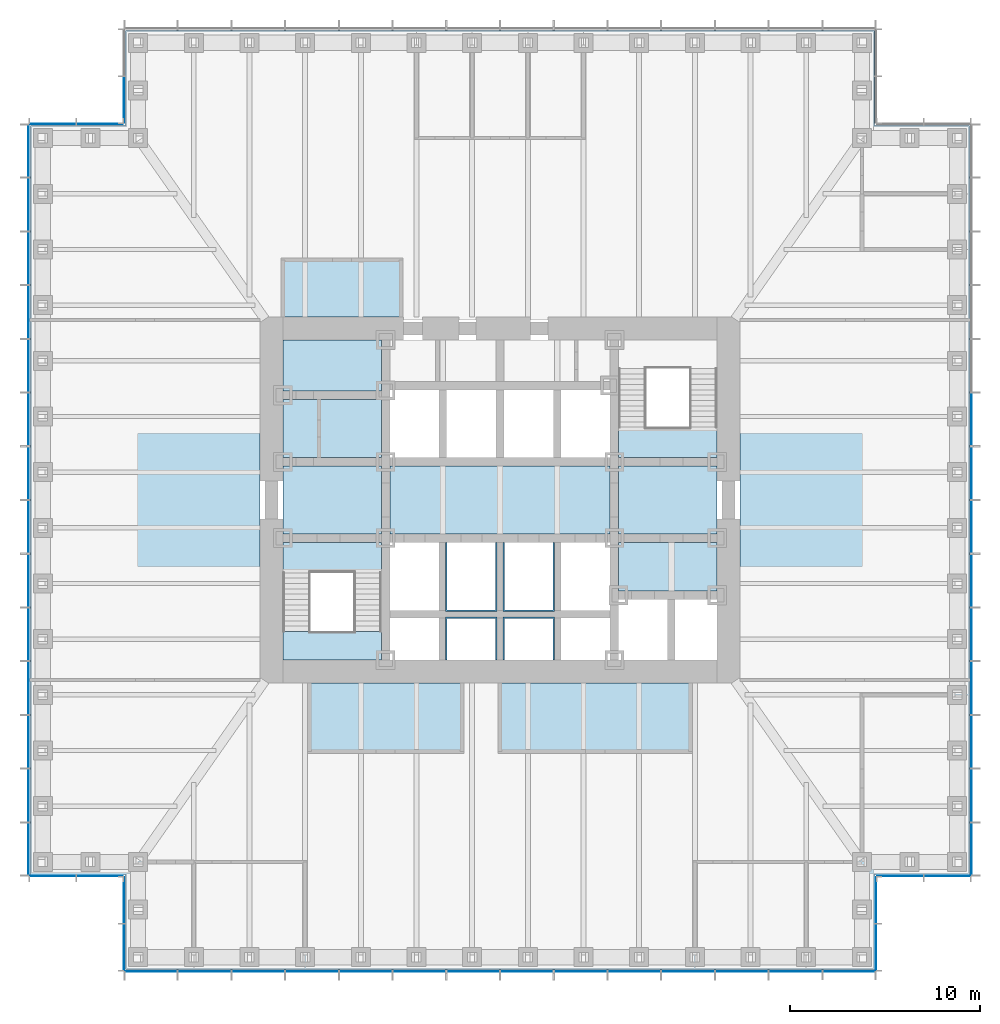
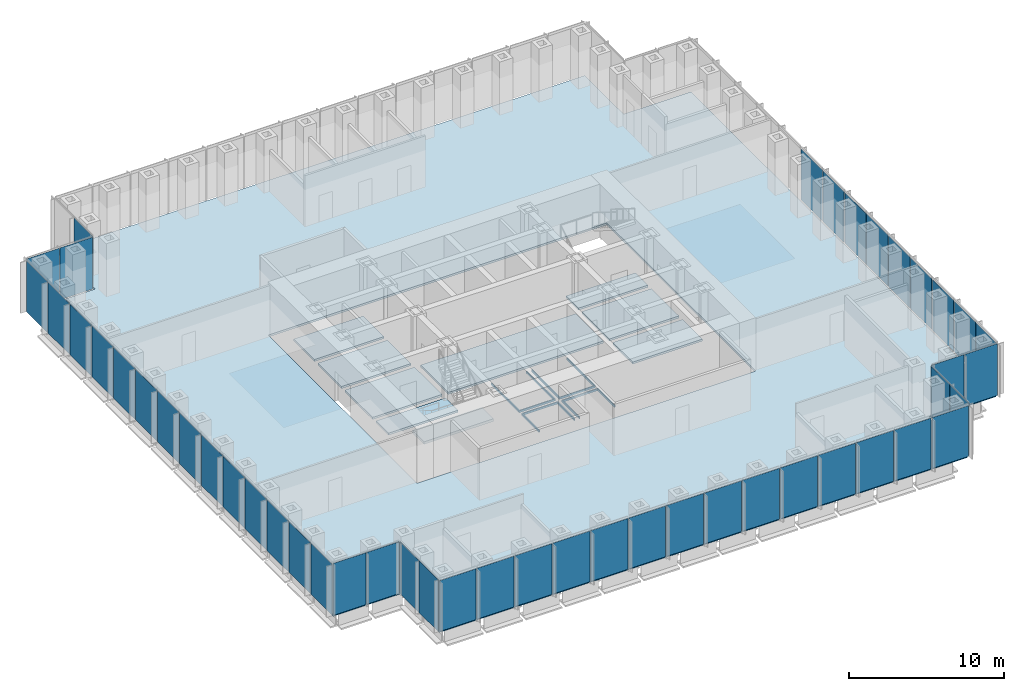
# One storey, part 7 of 16: 48 plates, 14 slabs, 10 elements without a shape of their own.
"""IFC4 building model written with IfcOpenShell, lengths in metres."""

from ifc_helpers import new_model, si_unit, direction, frame, origin, origin_2d, place, context, subcontext, project, spatial, polyline, rectangle, outline, extrude, material, layer, layer_set, type_object, element, aggregate, save


model = new_model("IFC4")

# Units and contexts
model_context = context("Model", 3, precision=1e-05, world=origin(), true_north=direction((0.0, 1.0)))
body_context = subcontext(model_context, "Body", "Model", "MODEL_VIEW")
ifc_project = project(units=[si_unit("LENGTHUNIT", "METRE"), si_unit("AREAUNIT", "SQUARE_METRE"), si_unit("VOLUMEUNIT", "CUBIC_METRE"), si_unit("PLANEANGLEUNIT", "RADIAN"), si_unit("MASSUNIT", "GRAM", prefix="KILO")], contexts=[model_context])

# Site, building, storey
site_placement = place(None, origin())
site = spatial("IfcSite", under=ifc_project, at=site_placement, CompositionType="ELEMENT")
building_placement = place(site_placement, origin())
building = spatial("IfcBuilding", under=site, at=building_placement, Name="Daluyong Arena Tower", CompositionType="ELEMENT")
storey_placement = place(building_placement, frame((0.0, 0.0, 47.5)))
storey = spatial("IfcBuildingStorey", under=building, at=storey_placement, Name="L09", CompositionType="ELEMENT", Elevation=47.5)

# Curtain wall, plates
ifc_material_1 = material(Name="Bronze anodised aluminium and glass", Category="aluminium")
curtain_wall_type_1 = type_object("IfcCurtainWallType", Name="Curtain wall CW1", PredefinedType="USERDEFINED", material=ifc_material_1)
curtain_wall_1_placement = place(storey_placement, origin())
curtain_wall_1 = element("IfcCurtainWall", 1, at=curtain_wall_1_placement, inside=storey, type_object=curtain_wall_type_1, Name="curtain wall L09 S", ObjectType="UNITISED CURTAIN WALL", PredefinedType="USERDEFINED")
ifc_material_2 = material(Name="Tinted double glazed unit", Category="glass")
ifc_layer_1 = layer(ifc_material_2, 0.031982421875)
ifc_layer_set_1 = layer_set([ifc_layer_1], Name="Tinted double glazed unit")
plate_type_1 = type_object("IfcPlateType", Name="CW1 panel 32", PredefinedType="CURTAIN_PANEL", material=ifc_layer_set_1)
plate_1_placement = place(storey_placement, frame((37.6806640625, 55.25, 0.0), z_axis=(0.0, 0.0, 1.0), x_axis=(1.0, 0.0, 0.0)))
plate_1 = element("IfcPlate", 2, at=plate_1_placement, type_object=plate_type_1, Name="curtain wall L09 S panel 1", PredefinedType="CURTAIN_PANEL", context=body_context, shape_type="SweptSolid", body=[
    extrude(rectangle(XDim=2.701416015625, YDim=0.031982421875, at=origin_2d()), origin(), (0.0, 0.0, 1.0), 4.0),
])
plate_2_placement = place(storey_placement, frame((40.482177734375, 55.25, 0.0), z_axis=(0.0, 0.0, 1.0), x_axis=(1.0, 0.0, 0.0)))
plate_2 = element("IfcPlate", 3, at=plate_2_placement, type_object=plate_type_1, Name="curtain wall L09 S panel 2", PredefinedType="CURTAIN_PANEL", context=body_context, shape_type="SweptSolid", body=[
    extrude(rectangle(XDim=2.741455078125, YDim=0.031982421875, at=origin_2d()), origin(), (0.0, 0.0, 1.0), 4.0),
])
plate_3_placement = place(storey_placement, frame((43.303466796875, 55.25, 0.0), z_axis=(0.0, 0.0, 1.0), x_axis=(1.0, 0.0, 0.0)))
plate_3 = element("IfcPlate", 4, at=plate_3_placement, type_object=plate_type_1, Name="curtain wall L09 S panel 3", PredefinedType="CURTAIN_PANEL", context=body_context, shape_type="SweptSolid", body=[
    extrude(rectangle(XDim=2.741455078125, YDim=0.031982421875, at=origin_2d()), origin(), (0.0, 0.0, 1.0), 4.0),
])
plate_4_placement = place(storey_placement, frame((46.125, 55.25, 0.0), z_axis=(0.0, 0.0, 1.0), x_axis=(1.0, 0.0, 0.0)))
plate_4 = element("IfcPlate", 5, at=plate_4_placement, type_object=plate_type_1, Name="curtain wall L09 S panel 4", PredefinedType="CURTAIN_PANEL", context=body_context, shape_type="SweptSolid", body=[
    extrude(rectangle(XDim=2.741455078125, YDim=0.031982421875, at=origin_2d()), origin(), (0.0, 0.0, 1.0), 4.0),
])
plate_5_placement = place(storey_placement, frame((48.946533203125, 55.25, 0.0), z_axis=(0.0, 0.0, 1.0), x_axis=(1.0, 0.0, 0.0)))
plate_5 = element("IfcPlate", 6, at=plate_5_placement, type_object=plate_type_1, Name="curtain wall L09 S panel 5", PredefinedType="CURTAIN_PANEL", context=body_context, shape_type="SweptSolid", body=[
    extrude(rectangle(XDim=2.741455078125, YDim=0.031982421875, at=origin_2d()), origin(), (0.0, 0.0, 1.0), 4.0),
])
plate_6_placement = place(storey_placement, frame((51.767822265625, 55.25, 0.0), z_axis=(0.0, 0.0, 1.0), x_axis=(1.0, 0.0, 0.0)))
plate_6 = element("IfcPlate", 7, at=plate_6_placement, type_object=plate_type_1, Name="curtain wall L09 S panel 6", PredefinedType="CURTAIN_PANEL", context=body_context, shape_type="SweptSolid", body=[
    extrude(rectangle(XDim=2.741455078125, YDim=0.031982421875, at=origin_2d()), origin(), (0.0, 0.0, 1.0), 4.0),
])
plate_7_placement = place(storey_placement, frame((54.58935546875, 55.25, 0.0), z_axis=(0.0, 0.0, 1.0), x_axis=(1.0, 0.0, 0.0)))
plate_7 = element("IfcPlate", 8, at=plate_7_placement, type_object=plate_type_1, Name="curtain wall L09 S panel 7", PredefinedType="CURTAIN_PANEL", context=body_context, shape_type="SweptSolid", body=[
    extrude(rectangle(XDim=2.741455078125, YDim=0.031982421875, at=origin_2d()), origin(), (0.0, 0.0, 1.0), 4.0),
])
plate_8_placement = place(storey_placement, frame((57.41064453125, 55.25, 0.0), z_axis=(0.0, 0.0, 1.0), x_axis=(1.0, 0.0, 0.0)))
plate_8 = element("IfcPlate", 9, at=plate_8_placement, type_object=plate_type_1, Name="curtain wall L09 S panel 8", PredefinedType="CURTAIN_PANEL", context=body_context, shape_type="SweptSolid", body=[
    extrude(rectangle(XDim=2.741455078125, YDim=0.031982421875, at=origin_2d()), origin(), (0.0, 0.0, 1.0), 4.0),
])
plate_9_placement = place(storey_placement, frame((60.232177734375, 55.25, 0.0), z_axis=(0.0, 0.0, 1.0), x_axis=(1.0, 0.0, 0.0)))
plate_9 = element("IfcPlate", 10, at=plate_9_placement, type_object=plate_type_1, Name="curtain wall L09 S panel 9", PredefinedType="CURTAIN_PANEL", context=body_context, shape_type="SweptSolid", body=[
    extrude(rectangle(XDim=2.741455078125, YDim=0.031982421875, at=origin_2d()), origin(), (0.0, 0.0, 1.0), 4.0),
])
plate_10_placement = place(storey_placement, frame((63.053466796875, 55.25, 0.0), z_axis=(0.0, 0.0, 1.0), x_axis=(1.0, 0.0, 0.0)))
plate_10 = element("IfcPlate", 11, at=plate_10_placement, type_object=plate_type_1, Name="curtain wall L09 S panel 10", PredefinedType="CURTAIN_PANEL", context=body_context, shape_type="SweptSolid", body=[
    extrude(rectangle(XDim=2.741455078125, YDim=0.031982421875, at=origin_2d()), origin(), (0.0, 0.0, 1.0), 4.0),
])
plate_11_placement = place(storey_placement, frame((65.875, 55.25, 0.0), z_axis=(0.0, 0.0, 1.0), x_axis=(1.0, 0.0, 0.0)))
plate_11 = element("IfcPlate", 12, at=plate_11_placement, type_object=plate_type_1, Name="curtain wall L09 S panel 11", PredefinedType="CURTAIN_PANEL", context=body_context, shape_type="SweptSolid", body=[
    extrude(rectangle(XDim=2.741455078125, YDim=0.031982421875, at=origin_2d()), origin(), (0.0, 0.0, 1.0), 4.0),
])
plate_12_placement = place(storey_placement, frame((68.696533203125, 55.25, 0.0), z_axis=(0.0, 0.0, 1.0), x_axis=(1.0, 0.0, 0.0)))
plate_12 = element("IfcPlate", 13, at=plate_12_placement, type_object=plate_type_1, Name="curtain wall L09 S panel 12", PredefinedType="CURTAIN_PANEL", context=body_context, shape_type="SweptSolid", body=[
    extrude(rectangle(XDim=2.741455078125, YDim=0.031982421875, at=origin_2d()), origin(), (0.0, 0.0, 1.0), 4.0),
])
plate_13_placement = place(storey_placement, frame((71.517822265625, 55.25, 0.0), z_axis=(0.0, 0.0, 1.0), x_axis=(1.0, 0.0, 0.0)))
plate_13 = element("IfcPlate", 14, at=plate_13_placement, type_object=plate_type_1, Name="curtain wall L09 S panel 13", PredefinedType="CURTAIN_PANEL", context=body_context, shape_type="SweptSolid", body=[
    extrude(rectangle(XDim=2.741455078125, YDim=0.031982421875, at=origin_2d()), origin(), (0.0, 0.0, 1.0), 4.0),
])
plate_14_placement = place(storey_placement, frame((74.3193359375, 55.25, 0.0), z_axis=(0.0, 0.0, 1.0), x_axis=(1.0, 0.0, 0.0)))
plate_14 = element("IfcPlate", 15, at=plate_14_placement, type_object=plate_type_1, Name="curtain wall L09 S panel 14", PredefinedType="CURTAIN_PANEL", context=body_context, shape_type="SweptSolid", body=[
    extrude(rectangle(XDim=2.701416015625, YDim=0.031982421875, at=origin_2d()), origin(), (0.0, 0.0, 1.0), 4.0),
])
aggregate(curtain_wall_1, [plate_1, plate_2, plate_3, plate_4, plate_5, plate_6, plate_7, plate_8, plate_9, plate_10, plate_11, plate_12, plate_13, plate_14])

curtain_wall_2_placement = place(storey_placement, origin())
curtain_wall_2 = element("IfcCurtainWall", 16, at=curtain_wall_2_placement, inside=storey, type_object=curtain_wall_type_1, Name="curtain wall L09 E", ObjectType="UNITISED CURTAIN WALL", PredefinedType="USERDEFINED")
plate_15_placement = place(storey_placement, frame((80.75, 61.6806640625, 0.0), z_axis=(0.0, 0.0, 1.0), x_axis=(0.0, 1.0, 0.0)))
plate_15 = element("IfcPlate", 17, at=plate_15_placement, type_object=plate_type_1, Name="curtain wall L09 E panel 1", PredefinedType="CURTAIN_PANEL", context=body_context, shape_type="SweptSolid", body=[
    extrude(rectangle(XDim=2.701416015625, YDim=0.031982421875, at=origin_2d()), origin(), (0.0, 0.0, 1.0), 4.0),
])
plate_16_placement = place(storey_placement, frame((80.75, 64.482177734375, 0.0), z_axis=(0.0, 0.0, 1.0), x_axis=(0.0, 1.0, 0.0)))
plate_16 = element("IfcPlate", 18, at=plate_16_placement, type_object=plate_type_1, Name="curtain wall L09 E panel 2", PredefinedType="CURTAIN_PANEL", context=body_context, shape_type="SweptSolid", body=[
    extrude(rectangle(XDim=2.741455078125, YDim=0.031982421875, at=origin_2d()), origin(), (0.0, 0.0, 1.0), 4.0),
])
plate_17_placement = place(storey_placement, frame((80.75, 67.303466796875, 0.0), z_axis=(0.0, 0.0, 1.0), x_axis=(0.0, 1.0, 0.0)))
plate_17 = element("IfcPlate", 19, at=plate_17_placement, type_object=plate_type_1, Name="curtain wall L09 E panel 3", PredefinedType="CURTAIN_PANEL", context=body_context, shape_type="SweptSolid", body=[
    extrude(rectangle(XDim=2.741455078125, YDim=0.031982421875, at=origin_2d()), origin(), (0.0, 0.0, 1.0), 4.0),
])
plate_18_placement = place(storey_placement, frame((80.75, 70.125, 0.0), z_axis=(0.0, 0.0, 1.0), x_axis=(0.0, 1.0, 0.0)))
plate_18 = element("IfcPlate", 20, at=plate_18_placement, type_object=plate_type_1, Name="curtain wall L09 E panel 4", PredefinedType="CURTAIN_PANEL", context=body_context, shape_type="SweptSolid", body=[
    extrude(rectangle(XDim=2.741455078125, YDim=0.031982421875, at=origin_2d()), origin(), (0.0, 0.0, 1.0), 4.0),
])
plate_19_placement = place(storey_placement, frame((80.75, 72.946533203125, 0.0), z_axis=(0.0, 0.0, 1.0), x_axis=(0.0, 1.0, 0.0)))
plate_19 = element("IfcPlate", 21, at=plate_19_placement, type_object=plate_type_1, Name="curtain wall L09 E panel 5", PredefinedType="CURTAIN_PANEL", context=body_context, shape_type="SweptSolid", body=[
    extrude(rectangle(XDim=2.741455078125, YDim=0.031982421875, at=origin_2d()), origin(), (0.0, 0.0, 1.0), 4.0),
])
plate_20_placement = place(storey_placement, frame((80.75, 75.767822265625, 0.0), z_axis=(0.0, 0.0, 1.0), x_axis=(0.0, 1.0, 0.0)))
plate_20 = element("IfcPlate", 22, at=plate_20_placement, type_object=plate_type_1, Name="curtain wall L09 E panel 6", PredefinedType="CURTAIN_PANEL", context=body_context, shape_type="SweptSolid", body=[
    extrude(rectangle(XDim=2.741455078125, YDim=0.031982421875, at=origin_2d()), origin(), (0.0, 0.0, 1.0), 4.0),
])
plate_21_placement = place(storey_placement, frame((80.75, 78.58935546875, 0.0), z_axis=(0.0, 0.0, 1.0), x_axis=(0.0, 1.0, 0.0)))
plate_21 = element("IfcPlate", 23, at=plate_21_placement, type_object=plate_type_1, Name="curtain wall L09 E panel 7", PredefinedType="CURTAIN_PANEL", context=body_context, shape_type="SweptSolid", body=[
    extrude(rectangle(XDim=2.741455078125, YDim=0.031982421875, at=origin_2d()), origin(), (0.0, 0.0, 1.0), 4.0),
])
plate_22_placement = place(storey_placement, frame((80.75, 81.41064453125, 0.0), z_axis=(0.0, 0.0, 1.0), x_axis=(0.0, 1.0, 0.0)))
plate_22 = element("IfcPlate", 24, at=plate_22_placement, type_object=plate_type_1, Name="curtain wall L09 E panel 8", PredefinedType="CURTAIN_PANEL", context=body_context, shape_type="SweptSolid", body=[
    extrude(rectangle(XDim=2.741455078125, YDim=0.031982421875, at=origin_2d()), origin(), (0.0, 0.0, 1.0), 4.0),
])
plate_23_placement = place(storey_placement, frame((80.75, 84.232177734375, 0.0), z_axis=(0.0, 0.0, 1.0), x_axis=(0.0, 1.0, 0.0)))
plate_23 = element("IfcPlate", 25, at=plate_23_placement, type_object=plate_type_1, Name="curtain wall L09 E panel 9", PredefinedType="CURTAIN_PANEL", context=body_context, shape_type="SweptSolid", body=[
    extrude(rectangle(XDim=2.741455078125, YDim=0.031982421875, at=origin_2d()), origin(), (0.0, 0.0, 1.0), 4.0),
])
aggregate(curtain_wall_2, [plate_15, plate_16, plate_17, plate_18, plate_19, plate_20, plate_21, plate_22, plate_23])

curtain_wall_3_placement = place(storey_placement, origin())
curtain_wall_3 = element("IfcCurtainWall", 26, at=curtain_wall_3_placement, inside=storey, type_object=curtain_wall_type_1, Name="curtain wall L09 W", ObjectType="UNITISED CURTAIN WALL", PredefinedType="USERDEFINED")
plate_24_placement = place(storey_placement, frame((31.25, 98.3193359375, 0.0), z_axis=(0.0, 0.0, 1.0), x_axis=(0.0, -1.0, 0.0)))
plate_24 = element("IfcPlate", 27, at=plate_24_placement, type_object=plate_type_1, Name="curtain wall L09 W panel 1", PredefinedType="CURTAIN_PANEL", context=body_context, shape_type="SweptSolid", body=[
    extrude(rectangle(XDim=2.701416015625, YDim=0.031982421875, at=origin_2d()), origin(), (0.0, 0.0, 1.0), 4.0),
])
plate_25_placement = place(storey_placement, frame((31.25, 95.517822265625, 0.0), z_axis=(0.0, 0.0, 1.0), x_axis=(0.0, -1.0, 0.0)))
plate_25 = element("IfcPlate", 28, at=plate_25_placement, type_object=plate_type_1, Name="curtain wall L09 W panel 2", PredefinedType="CURTAIN_PANEL", context=body_context, shape_type="SweptSolid", body=[
    extrude(rectangle(XDim=2.741455078125, YDim=0.031982421875, at=origin_2d()), origin(), (0.0, 0.0, 1.0), 4.0),
])
plate_26_placement = place(storey_placement, frame((31.25, 92.696533203125, 0.0), z_axis=(0.0, 0.0, 1.0), x_axis=(0.0, -1.0, 0.0)))
plate_26 = element("IfcPlate", 29, at=plate_26_placement, type_object=plate_type_1, Name="curtain wall L09 W panel 3", PredefinedType="CURTAIN_PANEL", context=body_context, shape_type="SweptSolid", body=[
    extrude(rectangle(XDim=2.741455078125, YDim=0.031982421875, at=origin_2d()), origin(), (0.0, 0.0, 1.0), 4.0),
])
plate_27_placement = place(storey_placement, frame((31.25, 89.875, 0.0), z_axis=(0.0, 0.0, 1.0), x_axis=(0.0, -1.0, 0.0)))
plate_27 = element("IfcPlate", 30, at=plate_27_placement, type_object=plate_type_1, Name="curtain wall L09 W panel 4", PredefinedType="CURTAIN_PANEL", context=body_context, shape_type="SweptSolid", body=[
    extrude(rectangle(XDim=2.741455078125, YDim=0.031982421875, at=origin_2d()), origin(), (0.0, 0.0, 1.0), 4.0),
])
plate_28_placement = place(storey_placement, frame((31.25, 87.053466796875, 0.0), z_axis=(0.0, 0.0, 1.0), x_axis=(0.0, -1.0, 0.0)))
plate_28 = element("IfcPlate", 31, at=plate_28_placement, type_object=plate_type_1, Name="curtain wall L09 W panel 5", PredefinedType="CURTAIN_PANEL", context=body_context, shape_type="SweptSolid", body=[
    extrude(rectangle(XDim=2.741455078125, YDim=0.031982421875, at=origin_2d()), origin(), (0.0, 0.0, 1.0), 4.0),
])
plate_29_placement = place(storey_placement, frame((31.25, 84.232177734375, 0.0), z_axis=(0.0, 0.0, 1.0), x_axis=(0.0, -1.0, 0.0)))
plate_29 = element("IfcPlate", 32, at=plate_29_placement, type_object=plate_type_1, Name="curtain wall L09 W panel 6", PredefinedType="CURTAIN_PANEL", context=body_context, shape_type="SweptSolid", body=[
    extrude(rectangle(XDim=2.741455078125, YDim=0.031982421875, at=origin_2d()), origin(), (0.0, 0.0, 1.0), 4.0),
])
plate_30_placement = place(storey_placement, frame((31.25, 81.41064453125, 0.0), z_axis=(0.0, 0.0, 1.0), x_axis=(0.0, -1.0, 0.0)))
plate_30 = element("IfcPlate", 33, at=plate_30_placement, type_object=plate_type_1, Name="curtain wall L09 W panel 7", PredefinedType="CURTAIN_PANEL", context=body_context, shape_type="SweptSolid", body=[
    extrude(rectangle(XDim=2.741455078125, YDim=0.031982421875, at=origin_2d()), origin(), (0.0, 0.0, 1.0), 4.0),
])
plate_31_placement = place(storey_placement, frame((31.25, 78.58935546875, 0.0), z_axis=(0.0, 0.0, 1.0), x_axis=(0.0, -1.0, 0.0)))
plate_31 = element("IfcPlate", 34, at=plate_31_placement, type_object=plate_type_1, Name="curtain wall L09 W panel 8", PredefinedType="CURTAIN_PANEL", context=body_context, shape_type="SweptSolid", body=[
    extrude(rectangle(XDim=2.741455078125, YDim=0.031982421875, at=origin_2d()), origin(), (0.0, 0.0, 1.0), 4.0),
])
plate_32_placement = place(storey_placement, frame((31.25, 75.767822265625, 0.0), z_axis=(0.0, 0.0, 1.0), x_axis=(0.0, -1.0, 0.0)))
plate_32 = element("IfcPlate", 35, at=plate_32_placement, type_object=plate_type_1, Name="curtain wall L09 W panel 9", PredefinedType="CURTAIN_PANEL", context=body_context, shape_type="SweptSolid", body=[
    extrude(rectangle(XDim=2.741455078125, YDim=0.031982421875, at=origin_2d()), origin(), (0.0, 0.0, 1.0), 4.0),
])
plate_33_placement = place(storey_placement, frame((31.25, 72.946533203125, 0.0), z_axis=(0.0, 0.0, 1.0), x_axis=(0.0, -1.0, 0.0)))
plate_33 = element("IfcPlate", 36, at=plate_33_placement, type_object=plate_type_1, Name="curtain wall L09 W panel 10", PredefinedType="CURTAIN_PANEL", context=body_context, shape_type="SweptSolid", body=[
    extrude(rectangle(XDim=2.741455078125, YDim=0.031982421875, at=origin_2d()), origin(), (0.0, 0.0, 1.0), 4.0),
])
plate_34_placement = place(storey_placement, frame((31.25, 70.125, 0.0), z_axis=(0.0, 0.0, 1.0), x_axis=(0.0, -1.0, 0.0)))
plate_34 = element("IfcPlate", 37, at=plate_34_placement, type_object=plate_type_1, Name="curtain wall L09 W panel 11", PredefinedType="CURTAIN_PANEL", context=body_context, shape_type="SweptSolid", body=[
    extrude(rectangle(XDim=2.741455078125, YDim=0.031982421875, at=origin_2d()), origin(), (0.0, 0.0, 1.0), 4.0),
])
plate_35_placement = place(storey_placement, frame((31.25, 67.303466796875, 0.0), z_axis=(0.0, 0.0, 1.0), x_axis=(0.0, -1.0, 0.0)))
plate_35 = element("IfcPlate", 38, at=plate_35_placement, type_object=plate_type_1, Name="curtain wall L09 W panel 12", PredefinedType="CURTAIN_PANEL", context=body_context, shape_type="SweptSolid", body=[
    extrude(rectangle(XDim=2.741455078125, YDim=0.031982421875, at=origin_2d()), origin(), (0.0, 0.0, 1.0), 4.0),
])
plate_36_placement = place(storey_placement, frame((31.25, 64.482177734375, 0.0), z_axis=(0.0, 0.0, 1.0), x_axis=(0.0, -1.0, 0.0)))
plate_36 = element("IfcPlate", 39, at=plate_36_placement, type_object=plate_type_1, Name="curtain wall L09 W panel 13", PredefinedType="CURTAIN_PANEL", context=body_context, shape_type="SweptSolid", body=[
    extrude(rectangle(XDim=2.741455078125, YDim=0.031982421875, at=origin_2d()), origin(), (0.0, 0.0, 1.0), 4.0),
])
plate_37_placement = place(storey_placement, frame((31.25, 61.6806640625, 0.0), z_axis=(0.0, 0.0, 1.0), x_axis=(0.0, -1.0, 0.0)))
plate_37 = element("IfcPlate", 40, at=plate_37_placement, type_object=plate_type_1, Name="curtain wall L09 W panel 14", PredefinedType="CURTAIN_PANEL", context=body_context, shape_type="SweptSolid", body=[
    extrude(rectangle(XDim=2.701416015625, YDim=0.031982421875, at=origin_2d()), origin(), (0.0, 0.0, 1.0), 4.0),
])
aggregate(curtain_wall_3, [plate_24, plate_25, plate_26, plate_27, plate_28, plate_29, plate_30, plate_31, plate_32, plate_33, plate_34, plate_35, plate_36, plate_37])

ifc_material_3 = material(Name="Bronze anodised aluminium and glass", Category="aluminium")
curtain_wall_type_2 = type_object("IfcCurtainWallType", Name="Curtain wall CW7", PredefinedType="USERDEFINED", material=ifc_material_3)
curtain_wall_4_placement = place(storey_placement, origin())
curtain_wall_4 = element("IfcCurtainWall", 41, at=curtain_wall_4_placement, inside=storey, type_object=curtain_wall_type_2, Name="curtain wall L09 SE-E", ObjectType="UNITISED CURTAIN WALL", PredefinedType="USERDEFINED")
ifc_material_4 = material(Name="Tinted double glazed unit", Category="glass")
ifc_layer_2 = layer(ifc_material_4, 0.028076171875)
ifc_layer_set_2 = layer_set([ifc_layer_2], Name="Tinted double glazed unit")
plate_type_2 = type_object("IfcPlateType", Name="CW7 panel 28", PredefinedType="CURTAIN_PANEL", material=ifc_layer_set_2)
plate_38_placement = place(storey_placement, frame((75.75, 56.514892578125, 0.0), z_axis=(0.0, 0.0, 1.0), x_axis=(0.0, 1.0, 0.0)))
plate_38 = element("IfcPlate", 42, at=plate_38_placement, type_object=plate_type_2, Name="curtain wall L09 SE-E panel 1", PredefinedType="CURTAIN_PANEL", context=body_context, shape_type="SweptSolid", body=[
    extrude(rectangle(XDim=2.409912109375, YDim=0.028076171875, at=origin_2d()), origin(), (0.0, 0.0, 1.0), 4.080078125),
])
plate_39_placement = place(storey_placement, frame((75.75, 58.985107421875, 0.0), z_axis=(0.0, 0.0, 1.0), x_axis=(0.0, 1.0, 0.0)))
plate_39 = element("IfcPlate", 43, at=plate_39_placement, type_object=plate_type_2, Name="curtain wall L09 SE-E panel 2", PredefinedType="CURTAIN_PANEL", context=body_context, shape_type="SweptSolid", body=[
    extrude(rectangle(XDim=2.409912109375, YDim=0.028076171875, at=origin_2d()), origin(), (0.0, 0.0, 1.0), 4.080078125),
])
aggregate(curtain_wall_4, [plate_38, plate_39])

curtain_wall_5_placement = place(storey_placement, origin())
curtain_wall_5 = element("IfcCurtainWall", 44, at=curtain_wall_5_placement, inside=storey, type_object=curtain_wall_type_2, Name="curtain wall L09 SE-S", ObjectType="UNITISED CURTAIN WALL", PredefinedType="USERDEFINED")
plate_40_placement = place(storey_placement, frame((77.014892578125, 60.25, 0.0), z_axis=(0.0, 0.0, 1.0), x_axis=(1.0, 0.0, 0.0)))
plate_40 = element("IfcPlate", 45, at=plate_40_placement, type_object=plate_type_2, Name="curtain wall L09 SE-S panel 1", PredefinedType="CURTAIN_PANEL", context=body_context, shape_type="SweptSolid", body=[
    extrude(rectangle(XDim=2.409912109375, YDim=0.028076171875, at=origin_2d()), origin(), (0.0, 0.0, 1.0), 4.080078125),
])
plate_41_placement = place(storey_placement, frame((79.485107421875, 60.25, 0.0), z_axis=(0.0, 0.0, 1.0), x_axis=(1.0, 0.0, 0.0)))
plate_41 = element("IfcPlate", 46, at=plate_41_placement, type_object=plate_type_2, Name="curtain wall L09 SE-S panel 2", PredefinedType="CURTAIN_PANEL", context=body_context, shape_type="SweptSolid", body=[
    extrude(rectangle(XDim=2.409912109375, YDim=0.028076171875, at=origin_2d()), origin(), (0.0, 0.0, 1.0), 4.080078125),
])
aggregate(curtain_wall_5, [plate_40, plate_41])

# Curtain wall, plate
curtain_wall_6_placement = place(storey_placement, origin())
curtain_wall_6 = element("IfcCurtainWall", 47, at=curtain_wall_6_placement, inside=storey, type_object=curtain_wall_type_2, Name="curtain wall L09 NW-W", ObjectType="UNITISED CURTAIN WALL", PredefinedType="USERDEFINED")
plate_42_placement = place(storey_placement, frame((36.25, 101.014892578125, 0.0), z_axis=(0.0, 0.0, 1.0), x_axis=(0.0, -1.0, 0.0)))
plate_42 = element("IfcPlate", 48, at=plate_42_placement, type_object=plate_type_2, Name="curtain wall L09 NW-W panel 2", PredefinedType="CURTAIN_PANEL", context=body_context, shape_type="SweptSolid", body=[
    extrude(rectangle(XDim=2.409912109375, YDim=0.028076171875, at=origin_2d()), origin(), (0.0, 0.0, 1.0), 4.080078125),
])
aggregate(curtain_wall_6, [plate_42])

# Curtain wall, plates
curtain_wall_7_placement = place(storey_placement, origin())
curtain_wall_7 = element("IfcCurtainWall", 49, at=curtain_wall_7_placement, inside=storey, type_object=curtain_wall_type_2, Name="curtain wall L09 NW-N", ObjectType="UNITISED CURTAIN WALL", PredefinedType="USERDEFINED")
plate_43_placement = place(storey_placement, frame((34.985107421875, 99.75, 0.0), z_axis=(0.0, 0.0, 1.0), x_axis=(-1.0, 0.0, 0.0)))
plate_43 = element("IfcPlate", 50, at=plate_43_placement, type_object=plate_type_2, Name="curtain wall L09 NW-N panel 1", PredefinedType="CURTAIN_PANEL", context=body_context, shape_type="SweptSolid", body=[
    extrude(rectangle(XDim=2.409912109375, YDim=0.028076171875, at=origin_2d()), origin(), (0.0, 0.0, 1.0), 4.080078125),
])
plate_44_placement = place(storey_placement, frame((32.514892578125, 99.75, 0.0), z_axis=(0.0, 0.0, 1.0), x_axis=(-1.0, 0.0, 0.0)))
plate_44 = element("IfcPlate", 51, at=plate_44_placement, type_object=plate_type_2, Name="curtain wall L09 NW-N panel 2", PredefinedType="CURTAIN_PANEL", context=body_context, shape_type="SweptSolid", body=[
    extrude(rectangle(XDim=2.409912109375, YDim=0.028076171875, at=origin_2d()), origin(), (0.0, 0.0, 1.0), 4.080078125),
])
aggregate(curtain_wall_7, [plate_43, plate_44])

curtain_wall_8_placement = place(storey_placement, origin())
curtain_wall_8 = element("IfcCurtainWall", 52, at=curtain_wall_8_placement, inside=storey, type_object=curtain_wall_type_2, Name="curtain wall L09 SW-S", ObjectType="UNITISED CURTAIN WALL", PredefinedType="USERDEFINED")
plate_45_placement = place(storey_placement, frame((32.514892578125, 60.25, 0.0), z_axis=(0.0, 0.0, 1.0), x_axis=(1.0, 0.0, 0.0)))
plate_45 = element("IfcPlate", 53, at=plate_45_placement, type_object=plate_type_2, Name="curtain wall L09 SW-S panel 1", PredefinedType="CURTAIN_PANEL", context=body_context, shape_type="SweptSolid", body=[
    extrude(rectangle(XDim=2.409912109375, YDim=0.028076171875, at=origin_2d()), origin(), (0.0, 0.0, 1.0), 4.080078125),
])
plate_46_placement = place(storey_placement, frame((34.985107421875, 60.25, 0.0), z_axis=(0.0, 0.0, 1.0), x_axis=(1.0, 0.0, 0.0)))
plate_46 = element("IfcPlate", 54, at=plate_46_placement, type_object=plate_type_2, Name="curtain wall L09 SW-S panel 2", PredefinedType="CURTAIN_PANEL", context=body_context, shape_type="SweptSolid", body=[
    extrude(rectangle(XDim=2.409912109375, YDim=0.028076171875, at=origin_2d()), origin(), (0.0, 0.0, 1.0), 4.080078125),
])
aggregate(curtain_wall_8, [plate_45, plate_46])

curtain_wall_9_placement = place(storey_placement, origin())
curtain_wall_9 = element("IfcCurtainWall", 55, at=curtain_wall_9_placement, inside=storey, type_object=curtain_wall_type_2, Name="curtain wall L09 SW-W", ObjectType="UNITISED CURTAIN WALL", PredefinedType="USERDEFINED")
plate_47_placement = place(storey_placement, frame((36.25, 58.985107421875, 0.0), z_axis=(0.0, 0.0, 1.0), x_axis=(0.0, -1.0, 0.0)))
plate_47 = element("IfcPlate", 56, at=plate_47_placement, type_object=plate_type_2, Name="curtain wall L09 SW-W panel 1", PredefinedType="CURTAIN_PANEL", context=body_context, shape_type="SweptSolid", body=[
    extrude(rectangle(XDim=2.409912109375, YDim=0.028076171875, at=origin_2d()), origin(), (0.0, 0.0, 1.0), 4.080078125),
])
plate_48_placement = place(storey_placement, frame((36.25, 56.514892578125, 0.0), z_axis=(0.0, 0.0, 1.0), x_axis=(0.0, -1.0, 0.0)))
plate_48 = element("IfcPlate", 57, at=plate_48_placement, type_object=plate_type_2, Name="curtain wall L09 SW-W panel 2", PredefinedType="CURTAIN_PANEL", context=body_context, shape_type="SweptSolid", body=[
    extrude(rectangle(XDim=2.409912109375, YDim=0.028076171875, at=origin_2d()), origin(), (0.0, 0.0, 1.0), 4.080078125),
])
aggregate(curtain_wall_9, [plate_47, plate_48])

# Stair, slab
ifc_material_5 = material(Name="Concrete fc' 35 MPa", Category="concrete")
stair_type = type_object("IfcStairType", Name="Core exit stair", PredefinedType="HALF_TURN_STAIR", material=ifc_material_5)
stair_placement = place(storey_placement, origin())
stair = element("IfcStair", 58, at=stair_placement, inside=storey, type_object=stair_type, Name="exit stair A L09", PredefinedType="HALF_TURN_STAIR")
ifc_material_6 = material(Name="Concrete fc' 35 MPa", Category="concrete")
ifc_layer_3 = layer(ifc_material_6, 0.199951171875)
ifc_layer_set_3 = layer_set([ifc_layer_3], Name="Concrete fc' 35 MPa")
slab_type_1 = type_object("IfcSlabType", Name="Stair landing 200", PredefinedType="LANDING", material=ifc_layer_set_3)
slab_1_placement = place(storey_placement, frame((0.0, 0.0, 1.89990234375)))
slab_1 = element("IfcSlab", 59, at=slab_1_placement, type_object=slab_type_1, Name="STA landing 1", PredefinedType="LANDING", context=body_context, shape_type="SweptSolid", body=[
    extrude(outline(polyline([(44.60009765625, 71.60009765625), (49.77490234375, 71.60009765625), (49.77490234375, 73.094970703125), (44.60009765625, 73.094970703125), (44.60009765625, 71.60009765625)])), origin(), (0.0, 0.0, 1.0), 0.2001953125),
])
aggregate(stair, [slab_1])

# Slabs
ifc_material_7 = material(Name="Concrete fc' 35 MPa", Category="concrete")
ifc_layer_4 = layer(ifc_material_7, 0.159912109375)
ifc_layer_set_4 = layer_set([ifc_layer_4], Name="Concrete fc' 35 MPa")
slab_type_2 = type_object("IfcSlabType", Name="Tower floor slab 160", PredefinedType="FLOOR", material=ifc_layer_set_4)
slab_2_placement = place(storey_placement, frame((0.0, 0.0, -0.159912109375)))
element("IfcSlab", 60, at=slab_2_placement, inside=storey, type_object=slab_type_2, Name="floor L09 part 1", PredefinedType="FLOOR", context=body_context, shape_type="SweptSolid", body=[
    extrude(outline(polyline([(49.77490234375, 76.175048828125), (49.77490234375, 77.77490234375), (44.60009765625, 77.77490234375), (44.60009765625, 76.175048828125), (49.77490234375, 76.175048828125)])), origin(), (0.0, 0.0, 1.0), 0.159912109375),
])
slab_3_placement = place(storey_placement, frame((0.0, 0.0, -0.159912109375)))
element("IfcSlab", 61, at=slab_3_placement, inside=storey, type_object=slab_type_2, Name="floor L09 part 2", PredefinedType="FLOOR", context=body_context, shape_type="SweptSolid", body=[
    extrude(outline(polyline([(49.77490234375, 78.22509765625), (49.77490234375, 81.77490234375), (44.60009765625, 81.77490234375), (44.60009765625, 78.22509765625), (49.77490234375, 78.22509765625)])), origin(), (0.0, 0.0, 1.0), 0.159912109375),
])
slab_4_placement = place(storey_placement, frame((0.0, 0.0, -0.159912109375)))
element("IfcSlab", 62, at=slab_4_placement, inside=storey, type_object=slab_type_2, Name="floor L09 part 3", PredefinedType="FLOOR", context=body_context, shape_type="SweptSolid", body=[
    extrude(outline(polyline([(49.77490234375, 82.22509765625), (49.77490234375, 85.27490234375), (44.60009765625, 85.27490234375), (44.60009765625, 82.22509765625), (49.77490234375, 82.22509765625)])), origin(), (0.0, 0.0, 1.0), 0.159912109375),
])
slab_5_placement = place(storey_placement, frame((0.0, 0.0, -0.159912109375)))
element("IfcSlab", 63, at=slab_5_placement, inside=storey, type_object=slab_type_2, Name="floor L09 part 4", PredefinedType="FLOOR", context=body_context, shape_type="SweptSolid", body=[
    extrude(outline(polyline([(44.60009765625, 88.39990234375), (44.60009765625, 85.72509765625), (49.77490234375, 85.72509765625), (49.77490234375, 88.39990234375), (44.60009765625, 88.39990234375)])), origin(), (0.0, 0.0, 1.0), 0.159912109375),
])
slab_6_placement = place(storey_placement, frame((0.0, 0.0, -0.159912109375)))
element("IfcSlab", 64, at=slab_6_placement, inside=storey, type_object=slab_type_2, Name="floor L09 part 6", PredefinedType="FLOOR", context=body_context, shape_type="SweptSolid", body=[
    extrude(outline(polyline([(55.77490234375, 73.77490234375), (55.77490234375, 71.60009765625), (55.85009765625, 71.60009765625), (55.85009765625, 73.85009765625), (53.14990234375, 73.85009765625), (53.14990234375, 71.60009765625), (53.22509765625, 71.60009765625), (53.22509765625, 73.77490234375), (55.77490234375, 73.77490234375)])), origin(), (0.0, 0.0, 1.0), 0.159912109375),
])
slab_7_placement = place(storey_placement, frame((0.0, 0.0, -0.159912109375)))
element("IfcSlab", 65, at=slab_7_placement, inside=storey, type_object=slab_type_2, Name="floor L09 part 7", PredefinedType="FLOOR", context=body_context, shape_type="SweptSolid", body=[
    extrude(outline(polyline([(53.14990234375, 77.77490234375), (53.14990234375, 74.14990234375), (55.85009765625, 74.14990234375), (55.85009765625, 77.77490234375), (55.77490234375, 77.77490234375), (55.77490234375, 74.22509765625), (53.22509765625, 74.22509765625), (53.22509765625, 77.77490234375), (53.14990234375, 77.77490234375)])), origin(), (0.0, 0.0, 1.0), 0.159912109375),
])
slab_8_placement = place(storey_placement, frame((0.0, 0.0, -0.159912109375)))
element("IfcSlab", 66, at=slab_8_placement, inside=storey, type_object=slab_type_2, Name="floor L09 part 8", PredefinedType="FLOOR", context=body_context, shape_type="SweptSolid", body=[
    extrude(outline(polyline([(36.35009765625, 60.35009765625), (36.35009765625, 55.35009765625), (75.64990234375, 55.35009765625), (75.64990234375, 60.35009765625), (80.64990234375, 60.35009765625), (80.64990234375, 99.64990234375), (75.64990234375, 99.64990234375), (75.64990234375, 104.64990234375), (36.35009765625, 104.64990234375), (36.35009765625, 99.64990234375), (31.35009765625, 99.64990234375), (31.35009765625, 60.35009765625), (36.35009765625, 60.35009765625)]), holes=[polyline([(68.60009765625, 89.60009765625), (68.60009765625, 70.39990234375), (43.39990234375, 70.39990234375), (43.39990234375, 89.60009765625), (68.60009765625, 89.60009765625)])]), origin(), (0.0, 0.0, 1.0), 0.159912109375),
])
slab_9_placement = place(storey_placement, frame((0.0, 0.0, -0.159912109375)))
element("IfcSlab", 67, at=slab_9_placement, inside=storey, type_object=slab_type_2, Name="floor L09 part 9", PredefinedType="FLOOR", context=body_context, shape_type="SweptSolid", body=[
    extrude(outline(polyline([(61.77490234375, 81.77490234375), (50.22509765625, 81.77490234375), (50.22509765625, 78.22509765625), (61.77490234375, 78.22509765625), (61.77490234375, 81.77490234375)])), origin(), (0.0, 0.0, 1.0), 0.159912109375),
])
slab_10_placement = place(storey_placement, frame((0.0, 0.0, -0.159912109375)))
element("IfcSlab", 68, at=slab_10_placement, inside=storey, type_object=slab_type_2, Name="floor L09 part 10", PredefinedType="FLOOR", context=body_context, shape_type="SweptSolid", body=[
    extrude(outline(polyline([(58.77490234375, 73.77490234375), (58.77490234375, 71.60009765625), (58.85009765625, 71.60009765625), (58.85009765625, 73.85009765625), (56.14990234375, 73.85009765625), (56.14990234375, 71.60009765625), (56.22509765625, 71.60009765625), (56.22509765625, 73.77490234375), (58.77490234375, 73.77490234375)])), origin(), (0.0, 0.0, 1.0), 0.159912109375),
])
slab_11_placement = place(storey_placement, frame((0.0, 0.0, -0.159912109375)))
element("IfcSlab", 69, at=slab_11_placement, inside=storey, type_object=slab_type_2, Name="floor L09 part 11", PredefinedType="FLOOR", context=body_context, shape_type="SweptSolid", body=[
    extrude(outline(polyline([(56.14990234375, 77.77490234375), (56.14990234375, 74.14990234375), (58.85009765625, 74.14990234375), (58.85009765625, 77.77490234375), (58.77490234375, 77.77490234375), (58.77490234375, 74.22509765625), (56.22509765625, 74.22509765625), (56.22509765625, 77.77490234375), (56.14990234375, 77.77490234375)])), origin(), (0.0, 0.0, 1.0), 0.159912109375),
])
slab_12_placement = place(storey_placement, frame((0.0, 0.0, -0.159912109375)))
element("IfcSlab", 70, at=slab_12_placement, inside=storey, type_object=slab_type_2, Name="floor L09 part 13", PredefinedType="FLOOR", context=body_context, shape_type="SweptSolid", body=[
    extrude(outline(polyline([(67.39990234375, 75.22509765625), (67.39990234375, 77.77490234375), (62.22509765625, 77.77490234375), (62.22509765625, 75.22509765625), (67.39990234375, 75.22509765625)])), origin(), (0.0, 0.0, 1.0), 0.159912109375),
])
slab_13_placement = place(storey_placement, frame((0.0, 0.0, -0.159912109375)))
element("IfcSlab", 71, at=slab_13_placement, inside=storey, type_object=slab_type_2, Name="floor L09 part 14", PredefinedType="FLOOR", context=body_context, shape_type="SweptSolid", body=[
    extrude(outline(polyline([(67.39990234375, 78.22509765625), (67.39990234375, 81.77490234375), (62.22509765625, 81.77490234375), (62.22509765625, 78.22509765625), (67.39990234375, 78.22509765625)])), origin(), (0.0, 0.0, 1.0), 0.159912109375),
])
slab_14_placement = place(storey_placement, frame((0.0, 0.0, -0.159912109375)))
element("IfcSlab", 72, at=slab_14_placement, inside=storey, type_object=slab_type_2, Name="floor L09 part 15", PredefinedType="FLOOR", context=body_context, shape_type="SweptSolid", body=[
    extrude(outline(polyline([(67.39990234375, 82.22509765625), (67.39990234375, 83.824951171875), (62.22509765625, 83.824951171875), (62.22509765625, 82.22509765625), (67.39990234375, 82.22509765625)])), origin(), (0.0, 0.0, 1.0), 0.159912109375),
])

save(model, "model.ifc")
